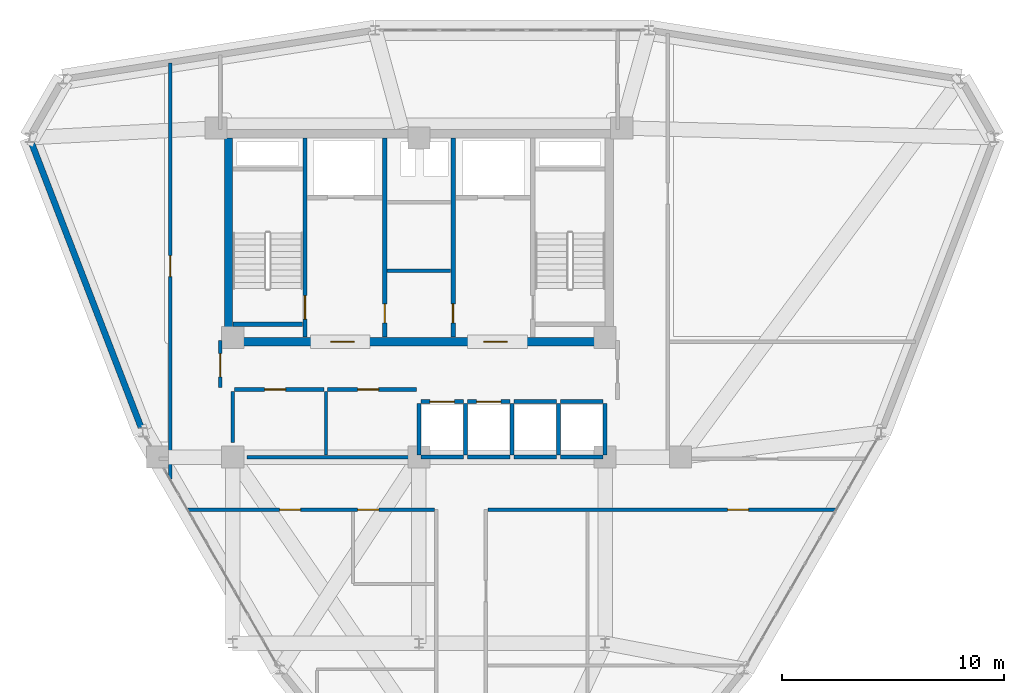
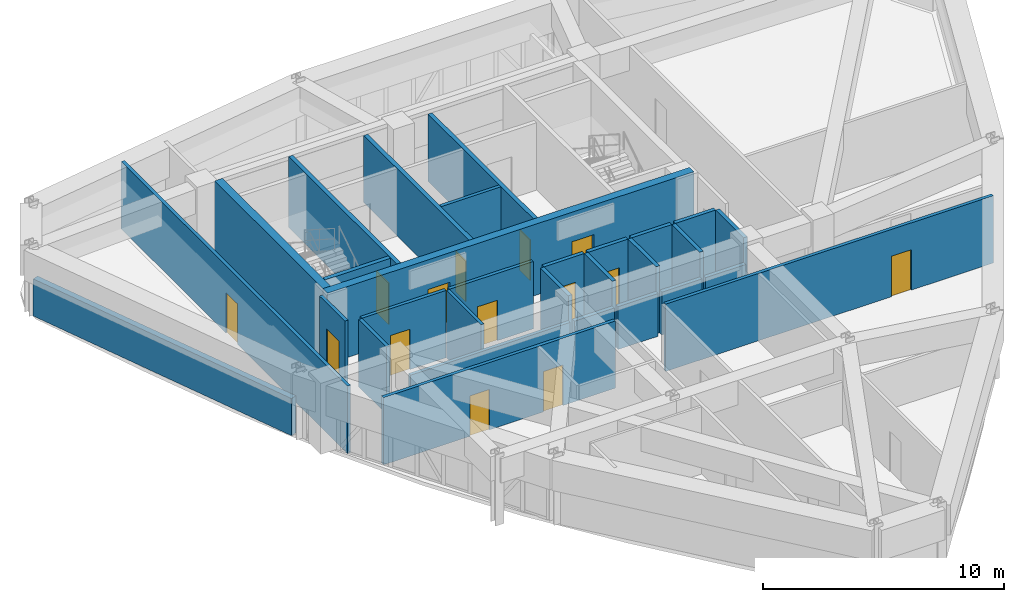
# One storey, part 14 of 16: 30 walls, 14 doors, 14 openings.
"""IFC4 building model written with IfcOpenShell, lengths in metres."""

from ifc_helpers import new_model, si_unit, derived_unit, direction, frame, frame_2d, origin, place, context, subcontext, project, spatial, rectangle, extrude, material, layer, layer_set, type_object, element, fill, save


model = new_model("IFC4")

# Units and contexts
model_context = context("Model", 3, precision=1e-05, world=origin(), true_north=direction((0.0, 1.0)))
body_context = subcontext(model_context, "Body", "Model", "MODEL_VIEW")
ifc_project = project(units=[si_unit("LENGTHUNIT", "METRE"), si_unit("AREAUNIT", "SQUARE_METRE"), si_unit("VOLUMEUNIT", "CUBIC_METRE"), si_unit("PLANEANGLEUNIT", "RADIAN"), si_unit("MASSUNIT", "GRAM", prefix="KILO"), derived_unit("THERMALTRANSMITTANCEUNIT", [(si_unit("POWERUNIT", "WATT"), 1), (si_unit("LENGTHUNIT", "METRE"), -2), (si_unit("THERMODYNAMICTEMPERATUREUNIT", "KELVIN"), -1)])], contexts=[model_context])

# Site, building, storey
site_placement = place(None, origin())
site = spatial("IfcSite", under=ifc_project, at=site_placement, CompositionType="ELEMENT")
building_placement = place(site_placement, origin())
building = spatial("IfcBuilding", under=site, at=building_placement, Name="Korsvarv Bourse and Concert Hall", CompositionType="ELEMENT")
storey_placement = place(building_placement, frame((0.0, 0.0, 213.0)))
storey = spatial("IfcBuildingStorey", under=building, at=storey_placement, Name="L55", CompositionType="ELEMENT", Elevation=213.0)

# Wall, openings, doors
ifc_material_1 = material(Name="Concrete C50/60", Category="concrete")
ifc_layer_1 = layer(ifc_material_1, 0.3798828125)
ifc_layer_set_1 = layer_set([ifc_layer_1], Name="Concrete C50/60")
wall_type_1 = type_object("IfcWallType", Name="WL-CORE-380", PredefinedType="SHEAR", material=ifc_layer_set_1)
wall_1_placement = place(storey_placement, frame((27.219970703125, 37.610107421875, 0.0), z_axis=(0.0, 0.0, 1.0), x_axis=(1.0, 0.0, 0.0)))
wall_1 = element("IfcWall", 1, at=wall_1_placement, inside=storey, type_object=wall_type_1, Name="L55 South Core Shear Wall", PredefinedType="SHEAR", context=body_context, shape_type="SweptSolid", body=[
    extrude(rectangle(XDim=17.56005859375, YDim=0.3798828125, at=frame_2d((8.780029296875, 0.0))), origin(), (0.0, 0.0, 1.0), 3.60009765625),
])
opening_1_placement = place(wall_1_placement, frame((4.804931640625, 0.0, 0.0)))
opening_1 = element("IfcOpeningElement", 2, at=opening_1_placement, cuts=wall_1, Name="Opening D-01", PredefinedType="OPENING", context=body_context, shape_type="SweptSolid", body=[
    extrude(rectangle(XDim=1.050048828125, YDim=2.10009765625, at=frame_2d((0.52490234375, 1.050048828125))), frame((0.0, 0.199951171875, 0.0), z_axis=(0.0, -1.0, 0.0), x_axis=(1.0, 0.0, 0.0)), (0.0, 0.0, 1.0), 0.39990234375),
])
opening_2_placement = place(wall_1_placement, frame((11.705078125, 0.0, 0.0)))
opening_2 = element("IfcOpeningElement", 3, at=opening_2_placement, cuts=wall_1, Name="Opening D-01", PredefinedType="OPENING", context=body_context, shape_type="SweptSolid", body=[
    extrude(rectangle(XDim=1.050048828125, YDim=2.10009765625, at=frame_2d((0.52490234375, 1.050048828125))), frame((0.0, 0.199951171875, 0.0), z_axis=(0.0, -1.0, 0.0), x_axis=(1.0, 0.0, 0.0)), (0.0, 0.0, 1.0), 0.39990234375),
])
ifc_material_2 = material(Name="Steel S355 fire door", Category="steel")
door_type_1 = type_object("IfcDoorType", Name="DR-FD60", OperationType="NOTDEFINED", PredefinedType="DOOR", material=ifc_material_2)
door_1_placement = place(opening_1_placement, frame((1.050048828125, 0.0, 0.0), z_axis=(0.0, 0.0, 1.0), x_axis=(-1.0, 0.0, 0.0)))
door_1 = element("IfcDoor", 4, at=door_1_placement, inside=storey, type_object=door_type_1, Name="L55 firefighting lobby fire door DR-L55-FFLW", OperationType="SINGLE_SWING_LEFT", OverallHeight=2.10009765625, OverallWidth=1.050048828125, PredefinedType="DOOR", context=body_context, shape_type="SweptSolid", body=[
    extrude(rectangle(XDim=1.050048828125, YDim=2.10009765625, at=frame_2d((0.52490234375, 1.050048828125))), frame((0.0, 0.02490234375, 0.0), z_axis=(0.0, -1.0, 0.0), x_axis=(1.0, 0.0, 0.0)), (0.0, 0.0, 1.0), 0.050048828125),
])
fill(opening_1, door_1)
door_2_placement = place(opening_2_placement, frame((1.050048828125, 0.0, 0.0), z_axis=(0.0, 0.0, 1.0), x_axis=(-1.0, 0.0, 0.0)))
door_2 = element("IfcDoor", 5, at=door_2_placement, inside=storey, type_object=door_type_1, Name="L55 firefighting lobby fire door DR-L55-FFLE", OperationType="SINGLE_SWING_RIGHT", OverallHeight=2.10009765625, OverallWidth=1.050048828125, PredefinedType="DOOR", context=body_context, shape_type="SweptSolid", body=[
    extrude(rectangle(XDim=1.050048828125, YDim=2.10009765625, at=frame_2d((0.52490234375, 1.050048828125))), frame((0.0, 0.02490234375, 0.0), z_axis=(0.0, -1.0, 0.0), x_axis=(1.0, 0.0, 0.0)), (0.0, 0.0, 1.0), 0.050048828125),
])
fill(opening_2, door_2)

# Wall
wall_2_placement = place(storey_placement, frame((27.409912109375, 37.800048828125, 0.0), z_axis=(0.0, 0.0, 1.0), x_axis=(0.0, 1.0, 0.0)))
element("IfcWall", 6, at=wall_2_placement, inside=storey, type_object=wall_type_1, Name="L55 West Core Shear Wall", PredefinedType="SHEAR", context=body_context, shape_type="SweptSolid", body=[
    extrude(rectangle(XDim=9.0, YDim=0.3798828125, at=frame_2d((4.5, 0.0))), origin(), (0.0, 0.0, 1.0), 3.60009765625),
])

# Wall, opening, door
wall_3_placement = place(storey_placement, frame((30.860107421875, 37.81005859375, 0.0), z_axis=(0.0, 0.0, 1.0), x_axis=(0.0, 1.0, 0.0)))
wall_3 = element("IfcWall", 7, at=wall_3_placement, inside=storey, type_object=wall_type_1, Name="L55 stair shaft structural wall W-L55-ST1-E", PredefinedType="SHEAR", context=body_context, shape_type="SweptSolid", body=[
    extrude(rectangle(XDim=8.97998046875, YDim=0.199951171875, at=frame_2d((4.489990234375, 0.0))), origin(), (0.0, 0.0, 1.0), 3.60009765625),
])
opening_3_placement = place(wall_3_placement, frame((0.820068359375, 0.0, 0.0)))
opening_3 = element("IfcOpeningElement", 8, at=opening_3_placement, cuts=wall_3, Name="Opening D-01", PredefinedType="OPENING", context=body_context, shape_type="SweptSolid", body=[
    extrude(rectangle(XDim=1.050048828125, YDim=2.10009765625, at=frame_2d((0.52490234375, 1.050048828125))), frame((0.0, 0.10986328125, 0.0), z_axis=(0.0, -1.0, 0.0), x_axis=(1.0, 0.0, 0.0)), (0.0, 0.0, 1.0), 0.219970703125),
])
door_3_placement = place(opening_3_placement, origin())
door_3 = element("IfcDoor", 9, at=door_3_placement, inside=storey, type_object=door_type_1, Name="L55 interior door DR-L55-ST1", OperationType="SINGLE_SWING_RIGHT", OverallHeight=2.10009765625, OverallWidth=1.050048828125, PredefinedType="DOOR", context=body_context, shape_type="SweptSolid", body=[
    extrude(rectangle(XDim=1.050048828125, YDim=2.10009765625, at=frame_2d((0.52490234375, 1.050048828125))), frame((0.0, 0.02490234375, 0.0), z_axis=(0.0, -1.0, 0.0), x_axis=(1.0, 0.0, 0.0)), (0.0, 0.0, 1.0), 0.050048828125),
])
fill(opening_3, door_3)

# Walls
wall_4_placement = place(storey_placement, frame((27.610107421875, 38.39990234375, 0.0), z_axis=(0.0, 0.0, 1.0), x_axis=(1.0, 0.0, 0.0)))
element("IfcWall", 10, at=wall_4_placement, inside=storey, type_object=wall_type_1, Name="L55 stair shaft structural wall W-L55-ST1-S", PredefinedType="SHEAR", context=body_context, shape_type="SweptSolid", body=[
    extrude(rectangle(XDim=3.139892578125, YDim=0.199951171875, at=frame_2d((1.56982421875, 0.0))), origin(), (0.0, 0.0, 1.0), 3.60009765625),
])
ifc_material_3 = material(Name="Precast concrete C45/55 with fluted terracotta pier", Category="concrete")
ifc_layer_2 = layer(ifc_material_3, 0.280029296875)
ifc_layer_set_2 = layer_set([ifc_layer_2], Name="Precast concrete C45/55 with fluted terracotta pier")
wall_type_2 = type_object("IfcWallType", Name="WL-EXT-TC2", PredefinedType="SOLIDWALL", material=ifc_layer_set_2)
wall_5_placement = place(storey_placement, frame((18.511962890625, 46.598388671875, 0.0), z_axis=(0.0, 0.0, 1.0), x_axis=(0.359321962573, -0.933213655715, 0.0)))
element("IfcWall", 11, at=wall_5_placement, inside=storey, type_object=wall_type_2, Name="L55 terracotta exterior wall EW-L55-B06", PredefinedType="SOLIDWALL", context=body_context, shape_type="SweptSolid", body=[
    extrude(rectangle(XDim=13.7880859375, YDim=0.280029296875, at=frame_2d((6.89404296875, 0.0))), origin(), (0.0, 0.0, 1.0), 1.8798828125),
])

# Wall, opening, door
ifc_material_4 = material(Name="Reinforced concrete blockwork C35/45 fire wall", Category="concrete")
ifc_layer_3 = layer(ifc_material_4, 0.199951171875)
ifc_layer_set_3 = layer_set([ifc_layer_3], Name="Reinforced concrete blockwork C35/45 fire wall")
wall_type_3 = type_object("IfcWallType", Name="WL-INT-EI120", PredefinedType="PARTITIONING", material=ifc_layer_set_3)
wall_6_placement = place(storey_placement, frame((34.4599609375, 37.81005859375, 0.0), z_axis=(0.0, 0.0, 1.0), x_axis=(0.0, 1.0, 0.0)))
wall_6 = element("IfcWall", 12, at=wall_6_placement, inside=storey, type_object=wall_type_3, Name="L55 interior partition wall W-L55-CSB-W", PredefinedType="PARTITIONING", context=body_context, shape_type="SweptSolid", body=[
    extrude(rectangle(XDim=8.97998046875, YDim=0.199951171875, at=frame_2d((4.489990234375, 0.0))), origin(), (0.0, 0.0, 1.0), 3.409912109375),
])
opening_4_placement = place(wall_6_placement, frame((0.64990234375, 0.0, 0.0)))
opening_4 = element("IfcOpeningElement", 13, at=opening_4_placement, cuts=wall_6, Name="Opening D-05", PredefinedType="OPENING", context=body_context, shape_type="SweptSolid", body=[
    extrude(rectangle(XDim=0.85009765625, YDim=2.050048828125, at=frame_2d((0.425048828125, 1.02490234375))), frame((0.0, 0.10986328125, 0.0), z_axis=(0.0, -1.0, 0.0), x_axis=(1.0, 0.0, 0.0)), (0.0, 0.0, 1.0), 0.219970703125),
])
door_type_2 = type_object("IfcDoorType", Name="DR-FD60-850X2050", OperationType="NOTDEFINED", PredefinedType="DOOR", material=ifc_material_2)
door_4_placement = place(opening_4_placement, frame((0.85009765625, 0.0, 0.0), z_axis=(0.0, 0.0, 1.0), x_axis=(-1.0, 0.0, 0.0)))
door_4 = element("IfcDoor", 14, at=door_4_placement, inside=storey, type_object=door_type_2, Name="L55 interior door DR-L55-CSB1", OperationType="SINGLE_SWING_RIGHT", OverallHeight=2.050048828125, OverallWidth=0.85009765625, PredefinedType="DOOR", context=body_context, shape_type="SweptSolid", body=[
    extrude(rectangle(XDim=0.85009765625, YDim=2.050048828125, at=frame_2d((0.425048828125, 1.02490234375))), frame((0.0, 0.02490234375, 0.0), z_axis=(0.0, -1.0, 0.0), x_axis=(1.0, 0.0, 0.0)), (0.0, 0.0, 1.0), 0.050048828125),
])
fill(opening_4, door_4)

wall_7_placement = place(storey_placement, frame((37.5400390625, 37.81005859375, 0.0), z_axis=(0.0, 0.0, 1.0), x_axis=(0.0, 1.0, 0.0)))
wall_7 = element("IfcWall", 15, at=wall_7_placement, inside=storey, type_object=wall_type_3, Name="L55 interior partition wall W-L55-CSB-E", PredefinedType="PARTITIONING", context=body_context, shape_type="SweptSolid", body=[
    extrude(rectangle(XDim=8.97998046875, YDim=0.199951171875, at=frame_2d((4.489990234375, 0.0))), origin(), (0.0, 0.0, 1.0), 3.409912109375),
])
opening_5_placement = place(wall_7_placement, frame((0.64990234375, 0.0, 0.0)))
opening_5 = element("IfcOpeningElement", 16, at=opening_5_placement, cuts=wall_7, Name="Opening D-05", PredefinedType="OPENING", context=body_context, shape_type="SweptSolid", body=[
    extrude(rectangle(XDim=0.85009765625, YDim=2.050048828125, at=frame_2d((0.425048828125, 1.02490234375))), frame((0.0, 0.10986328125, 0.0), z_axis=(0.0, -1.0, 0.0), x_axis=(1.0, 0.0, 0.0)), (0.0, 0.0, 1.0), 0.219970703125),
])
door_5_placement = place(opening_5_placement, origin())
door_5 = element("IfcDoor", 17, at=door_5_placement, inside=storey, type_object=door_type_2, Name="L55 interior door DR-L55-CSB2", OperationType="SINGLE_SWING_LEFT", OverallHeight=2.050048828125, OverallWidth=0.85009765625, PredefinedType="DOOR", context=body_context, shape_type="SweptSolid", body=[
    extrude(rectangle(XDim=0.85009765625, YDim=2.050048828125, at=frame_2d((0.425048828125, 1.02490234375))), frame((0.0, 0.02490234375, 0.0), z_axis=(0.0, -1.0, 0.0), x_axis=(1.0, 0.0, 0.0)), (0.0, 0.0, 1.0), 0.050048828125),
])
fill(opening_5, door_5)

# Walls
ifc_material_5 = material(Name="Double-stud fire-rated acoustic partition", Category="gypsum")
ifc_layer_4 = layer(ifc_material_5, 0.159912109375)
ifc_layer_set_4 = layer_set([ifc_layer_4], Name="Double-stud fire-rated acoustic partition")
wall_type_4 = type_object("IfcWallType", Name="WL-INT-EI60", PredefinedType="PARTITIONING", material=ifc_layer_set_4)
wall_8_placement = place(storey_placement, frame((34.570068359375, 40.800048828125, 0.0), z_axis=(0.0, 0.0, 1.0), x_axis=(1.0, 0.0, 0.0)))
element("IfcWall", 18, at=wall_8_placement, inside=storey, type_object=wall_type_4, Name="L55 interior partition wall W-L55-K1", PredefinedType="PARTITIONING", context=body_context, shape_type="SweptSolid", body=[
    extrude(rectangle(XDim=2.85986328125, YDim=0.159912109375, at=frame_2d((1.429931640625, 0.0))), origin(), (0.0, 0.0, 1.0), 3.409912109375),
])
wall_9_placement = place(storey_placement, frame((28.25, 32.39990234375, 0.0), z_axis=(0.0, 0.0, 1.0), x_axis=(1.0, 0.0, 0.0)))
element("IfcWall", 19, at=wall_9_placement, inside=storey, type_object=wall_type_4, Name="L55 interior partition wall W-L55-FRD-S", PredefinedType="PARTITIONING", context=body_context, shape_type="SweptSolid", body=[
    extrude(rectangle(XDim=7.64990234375, YDim=0.159912109375, at=frame_2d((3.824951171875, 0.0))), origin(), (0.0, 0.0, 1.0), 2.169921875),
])
wall_10_placement = place(storey_placement, frame((27.60009765625, 33.050048828125, 0.0), z_axis=(0.0, 0.0, 1.0), x_axis=(0.0, 1.0, 0.0)))
element("IfcWall", 20, at=wall_10_placement, inside=storey, type_object=wall_type_4, Name="L55 interior partition wall W-L55-FRD-W", PredefinedType="PARTITIONING", context=body_context, shape_type="SweptSolid", body=[
    extrude(rectangle(XDim=2.31005859375, YDim=0.159912109375, at=frame_2d((1.155029296875, 0.0))), origin(), (0.0, 0.0, 1.0), 3.409912109375),
])

# Wall, opening, door
wall_11_placement = place(storey_placement, frame((27.68994140625, 35.449951171875, 0.0), z_axis=(0.0, 0.0, 1.0), x_axis=(1.0, 0.0, 0.0)))
wall_11 = element("IfcWall", 21, at=wall_11_placement, inside=storey, type_object=wall_type_4, Name="L55 interior partition wall W-L55-FRD-N1", PredefinedType="PARTITIONING", context=body_context, shape_type="SweptSolid", body=[
    extrude(rectangle(XDim=4.030029296875, YDim=0.159912109375, at=frame_2d((2.01513671875, 0.0))), origin(), (0.0, 0.0, 1.0), 3.409912109375),
])
opening_6_placement = place(wall_11_placement, frame((1.35009765625, 0.0, 0.0)))
opening_6 = element("IfcOpeningElement", 22, at=opening_6_placement, cuts=wall_11, Name="Opening D-03", PredefinedType="OPENING", context=body_context, shape_type="SweptSolid", body=[
    extrude(rectangle(XDim=0.949951171875, YDim=2.050048828125, at=frame_2d((0.47509765625, 1.02490234375))), frame((0.0, 0.08984375, 0.0), z_axis=(0.0, -1.0, 0.0), x_axis=(1.0, 0.0, 0.0)), (0.0, 0.0, 1.0), 0.179931640625),
])
ifc_material_6 = material(Name="Nordic oak acoustic office door", Category="wood")
door_type_3 = type_object("IfcDoorType", Name="DR-INT-1", OperationType="NOTDEFINED", PredefinedType="DOOR", material=ifc_material_6)
door_6_placement = place(opening_6_placement, origin())
door_6 = element("IfcDoor", 23, at=door_6_placement, inside=storey, type_object=door_type_3, Name="L55 interior door DR-L55-FRDN1", OperationType="SINGLE_SWING_RIGHT", OverallHeight=2.050048828125, OverallWidth=0.949951171875, PredefinedType="DOOR", context=body_context, shape_type="SweptSolid", body=[
    extrude(rectangle(XDim=0.949951171875, YDim=2.050048828125, at=frame_2d((0.47509765625, 1.02490234375))), frame((0.0, 0.02490234375, 0.0), z_axis=(0.0, -1.0, 0.0), x_axis=(1.0, 0.0, 0.0)), (0.0, 0.0, 1.0), 0.050048828125),
])
fill(opening_6, door_6)

wall_12_placement = place(storey_placement, frame((31.8798828125, 35.449951171875, 0.0), z_axis=(0.0, 0.0, 1.0), x_axis=(1.0, 0.0, 0.0)))
wall_12 = element("IfcWall", 24, at=wall_12_placement, inside=storey, type_object=wall_type_4, Name="L55 interior partition wall W-L55-FRD-N2", PredefinedType="PARTITIONING", context=body_context, shape_type="SweptSolid", body=[
    extrude(rectangle(XDim=4.02001953125, YDim=0.159912109375, at=frame_2d((2.010009765625, 0.0))), origin(), (0.0, 0.0, 1.0), 3.409912109375),
])
opening_7_placement = place(wall_12_placement, frame((1.35009765625, 0.0, 0.0)))
opening_7 = element("IfcOpeningElement", 25, at=opening_7_placement, cuts=wall_12, Name="Opening D-03", PredefinedType="OPENING", context=body_context, shape_type="SweptSolid", body=[
    extrude(rectangle(XDim=0.949951171875, YDim=2.050048828125, at=frame_2d((0.47509765625, 1.02490234375))), frame((0.0, 0.08984375, 0.0), z_axis=(0.0, -1.0, 0.0), x_axis=(1.0, 0.0, 0.0)), (0.0, 0.0, 1.0), 0.179931640625),
])
door_7_placement = place(opening_7_placement, origin())
door_7 = element("IfcDoor", 26, at=door_7_placement, inside=storey, type_object=door_type_3, Name="L55 interior door DR-L55-FRDN2", OperationType="SINGLE_SWING_LEFT", OverallHeight=2.050048828125, OverallWidth=0.949951171875, PredefinedType="DOOR", context=body_context, shape_type="SweptSolid", body=[
    extrude(rectangle(XDim=0.949951171875, YDim=2.050048828125, at=frame_2d((0.47509765625, 1.02490234375))), frame((0.0, 0.02490234375, 0.0), z_axis=(0.0, -1.0, 0.0), x_axis=(1.0, 0.0, 0.0)), (0.0, 0.0, 1.0), 0.050048828125),
])
fill(opening_7, door_7)

wall_13_placement = place(storey_placement, frame((27.0400390625, 35.5400390625, 0.0), z_axis=(0.0, 0.0, 1.0), x_axis=(0.0, 1.0, 0.0)))
wall_13 = element("IfcWall", 27, at=wall_13_placement, inside=storey, type_object=wall_type_4, Name="L55 interior partition wall W-L55-LOB-WL", PredefinedType="PARTITIONING", context=body_context, shape_type="SweptSolid", body=[
    extrude(rectangle(XDim=2.10986328125, YDim=0.159912109375, at=frame_2d((1.054931640625, 0.0))), origin(), (0.0, 0.0, 1.0), 3.409912109375),
])
opening_8_placement = place(wall_13_placement, frame((0.47998046875, 0.0, 0.0)))
opening_8 = element("IfcOpeningElement", 28, at=opening_8_placement, cuts=wall_13, Name="Opening D-01", PredefinedType="OPENING", context=body_context, shape_type="SweptSolid", body=[
    extrude(rectangle(XDim=1.050048828125, YDim=2.10009765625, at=frame_2d((0.52490234375, 1.050048828125))), frame((0.0, 0.08984375, 0.0), z_axis=(0.0, -1.0, 0.0), x_axis=(1.0, 0.0, 0.0)), (0.0, 0.0, 1.0), 0.179931640625),
])
door_8_placement = place(opening_8_placement, frame((1.050048828125, 0.0, 0.0), z_axis=(0.0, 0.0, 1.0), x_axis=(-1.0, 0.0, 0.0)))
door_8 = element("IfcDoor", 29, at=door_8_placement, inside=storey, type_object=door_type_1, Name="L55 interior door DR-L55-LOBW", OperationType="SINGLE_SWING_RIGHT", OverallHeight=2.10009765625, OverallWidth=1.050048828125, PredefinedType="DOOR", context=body_context, shape_type="SweptSolid", body=[
    extrude(rectangle(XDim=1.050048828125, YDim=2.10009765625, at=frame_2d((0.52490234375, 1.050048828125))), frame((0.0, 0.02490234375, 0.0), z_axis=(0.0, -1.0, 0.0), x_axis=(1.0, 0.0, 0.0)), (0.0, 0.0, 1.0), 0.050048828125),
])
fill(opening_8, door_8)

wall_14_placement = place(storey_placement, frame((24.77490234375, 31.413330078125, 0.0), z_axis=(0.0, 0.0, 1.0), x_axis=(0.0, 1.0, 0.0)))
wall_14 = element("IfcWall", 30, at=wall_14_placement, inside=storey, type_object=wall_type_4, Name="L55 interior partition wall W-L55-TCOR-02", PredefinedType="PARTITIONING", context=body_context, shape_type="SweptSolid", body=[
    extrude(rectangle(XDim=18.773193359375, YDim=0.159912109375, at=frame_2d((9.38671875, 0.0))), origin(), (0.0, 0.0, 1.0), 3.409912109375),
])
opening_9_placement = place(wall_14_placement, frame((9.12744140625, 0.0, 0.0)))
opening_9 = element("IfcOpeningElement", 31, at=opening_9_placement, cuts=wall_14, Name="Opening D-02", PredefinedType="OPENING", context=body_context, shape_type="SweptSolid", body=[
    extrude(rectangle(XDim=0.949951171875, YDim=2.050048828125, at=frame_2d((0.47509765625, 1.02490234375))), frame((0.0, 0.08984375, 0.0), z_axis=(0.0, -1.0, 0.0), x_axis=(1.0, 0.0, 0.0)), (0.0, 0.0, 1.0), 0.179931640625),
])
ifc_material_7 = material(Name="Timber and steel acoustic fire door", Category="wood")
door_type_4 = type_object("IfcDoorType", Name="DR-FD30", OperationType="NOTDEFINED", PredefinedType="DOOR", material=ifc_material_7)
door_9_placement = place(opening_9_placement, origin())
door_9 = element("IfcDoor", 32, at=door_9_placement, inside=storey, type_object=door_type_4, Name="L55 interior door DR-L55-TCOR-PN710", OperationType="SINGLE_SWING_LEFT", OverallHeight=2.050048828125, OverallWidth=0.949951171875, PredefinedType="DOOR", context=body_context, shape_type="SweptSolid", body=[
    extrude(rectangle(XDim=0.949951171875, YDim=2.050048828125, at=frame_2d((0.47509765625, 1.02490234375))), frame((0.0, 0.02490234375, 0.0), z_axis=(0.0, -1.0, 0.0), x_axis=(1.0, 0.0, 0.0)), (0.0, 0.0, 1.0), 0.050048828125),
])
fill(opening_9, door_9)

wall_15_placement = place(storey_placement, frame((39.10693359375, 30.02490234375, 0.0), z_axis=(0.0, 0.0, 1.0), x_axis=(1.0, 0.0, 0.0)))
wall_15 = element("IfcWall", 33, at=wall_15_placement, inside=storey, type_object=wall_type_4, Name="L55 interior partition wall W-L55-TCOR-05", PredefinedType="PARTITIONING", context=body_context, shape_type="SweptSolid", body=[
    extrude(rectangle(XDim=15.7080078125, YDim=0.159912109375, at=frame_2d((7.85400390625, 0.0))), origin(), (0.0, 0.0, 1.0), 3.409912109375),
])
opening_10_placement = place(wall_15_placement, frame((10.822509765625, 0.0, 0.0)))
opening_10 = element("IfcOpeningElement", 34, at=opening_10_placement, cuts=wall_15, Name="Opening D-02", PredefinedType="OPENING", context=body_context, shape_type="SweptSolid", body=[
    extrude(rectangle(XDim=0.949951171875, YDim=2.050048828125, at=frame_2d((0.47509765625, 1.02490234375))), frame((0.0, 0.08984375, 0.0), z_axis=(0.0, -1.0, 0.0), x_axis=(1.0, 0.0, 0.0)), (0.0, 0.0, 1.0), 0.179931640625),
])
door_10_placement = place(opening_10_placement, origin())
door_10 = element("IfcDoor", 35, at=door_10_placement, inside=storey, type_object=door_type_4, Name="L55 interior door DR-L55-TCOR-PN36", OperationType="SINGLE_SWING_LEFT", OverallHeight=2.050048828125, OverallWidth=0.949951171875, PredefinedType="DOOR", context=body_context, shape_type="SweptSolid", body=[
    extrude(rectangle(XDim=0.949951171875, YDim=2.050048828125, at=frame_2d((0.47509765625, 1.02490234375))), frame((0.0, 0.02490234375, 0.0), z_axis=(0.0, -1.0, 0.0), x_axis=(1.0, 0.0, 0.0)), (0.0, 0.0, 1.0), 0.050048828125),
])
fill(opening_10, door_10)

# Wall, openings, doors
wall_16_placement = place(storey_placement, frame((25.585205078125, 30.02490234375, 0.0), z_axis=(0.0, 0.0, 1.0), x_axis=(1.0, 0.0, 0.0)))
wall_16 = element("IfcWall", 36, at=wall_16_placement, inside=storey, type_object=wall_type_4, Name="L55 interior partition wall W-L55-TCOR-06", PredefinedType="PARTITIONING", context=body_context, shape_type="SweptSolid", body=[
    extrude(rectangle(XDim=11.10791015625, YDim=0.159912109375, at=frame_2d((5.553955078125, 0.0))), origin(), (0.0, 0.0, 1.0), 3.409912109375),
])
opening_11_placement = place(wall_16_placement, frame((7.65478515625, 0.0, 0.0)))
opening_11 = element("IfcOpeningElement", 37, at=opening_11_placement, cuts=wall_16, Name="Opening D-02", PredefinedType="OPENING", context=body_context, shape_type="SweptSolid", body=[
    extrude(rectangle(XDim=0.949951171875, YDim=2.050048828125, at=frame_2d((0.47509765625, 1.02490234375))), frame((0.0, 0.08984375, 0.0), z_axis=(0.0, -1.0, 0.0), x_axis=(1.0, 0.0, 0.0)), (0.0, 0.0, 1.0), 0.179931640625),
])
opening_12_placement = place(wall_16_placement, frame((4.13232421875, 0.0, 0.0)))
opening_12 = element("IfcOpeningElement", 38, at=opening_12_placement, cuts=wall_16, Name="Opening D-02", PredefinedType="OPENING", context=body_context, shape_type="SweptSolid", body=[
    extrude(rectangle(XDim=0.949951171875, YDim=2.050048828125, at=frame_2d((0.47509765625, 1.02490234375))), frame((0.0, 0.08984375, 0.0), z_axis=(0.0, -1.0, 0.0), x_axis=(1.0, 0.0, 0.0)), (0.0, 0.0, 1.0), 0.179931640625),
])
door_11_placement = place(opening_11_placement, origin())
door_11 = element("IfcDoor", 39, at=door_11_placement, inside=storey, type_object=door_type_4, Name="L55 interior door DR-L55-TCOR-RWC", OperationType="SINGLE_SWING_RIGHT", OverallHeight=2.050048828125, OverallWidth=0.949951171875, PredefinedType="DOOR", context=body_context, shape_type="SweptSolid", body=[
    extrude(rectangle(XDim=0.949951171875, YDim=2.050048828125, at=frame_2d((0.47509765625, 1.02490234375))), frame((0.0, 0.02490234375, 0.0), z_axis=(0.0, -1.0, 0.0), x_axis=(1.0, 0.0, 0.0)), (0.0, 0.0, 1.0), 0.050048828125),
])
fill(opening_11, door_11)
door_12_placement = place(opening_12_placement, origin())
door_12 = element("IfcDoor", 40, at=door_12_placement, inside=storey, type_object=door_type_4, Name="L55 interior door DR-L55-TCOR-PN18", OperationType="SINGLE_SWING_LEFT", OverallHeight=2.050048828125, OverallWidth=0.949951171875, PredefinedType="DOOR", context=body_context, shape_type="SweptSolid", body=[
    extrude(rectangle(XDim=0.949951171875, YDim=2.050048828125, at=frame_2d((0.47509765625, 1.02490234375))), frame((0.0, 0.02490234375, 0.0), z_axis=(0.0, -1.0, 0.0), x_axis=(1.0, 0.0, 0.0)), (0.0, 0.0, 1.0), 0.050048828125),
])
fill(opening_12, door_12)

# Wall, opening, door
ifc_material_8 = material(Name="Gypsum-clad autoclaved concrete shaft wall C30/37", Category="concrete")
ifc_layer_5 = layer(ifc_material_8, 0.179931640625)
ifc_layer_set_5 = layer_set([ifc_layer_5], Name="Gypsum-clad autoclaved concrete shaft wall C30/37")
wall_type_5 = type_object("IfcWallType", Name="WL-INT-EI90", PredefinedType="PARTITIONING", material=ifc_layer_set_5)
wall_17_placement = place(storey_placement, frame((36.090087890625, 34.89990234375, 0.0), z_axis=(0.0, 0.0, 1.0), x_axis=(1.0, 0.0, 0.0)))
wall_17 = element("IfcWall", 41, at=wall_17_placement, inside=storey, type_object=wall_type_5, Name="L55 interior partition wall W-L55-SHFN-PH1", PredefinedType="PARTITIONING", context=body_context, shape_type="SweptSolid", body=[
    extrude(rectangle(XDim=1.919921875, YDim=0.179931640625, at=frame_2d((0.9599609375, 0.0))), origin(), (0.0, 0.0, 1.0), 3.409912109375),
])
opening_13_placement = place(wall_17_placement, frame((0.409912109375, 0.0, 0.0)))
opening_13 = element("IfcOpeningElement", 42, at=opening_13_placement, cuts=wall_17, Name="Opening LD-2", PredefinedType="OPENING", context=body_context, shape_type="SweptSolid", body=[
    extrude(rectangle(XDim=1.10009765625, YDim=2.10009765625, at=frame_2d((0.550048828125, 1.050048828125))), frame((0.0, 0.10009765625, 0.0), z_axis=(0.0, -1.0, 0.0), x_axis=(1.0, 0.0, 0.0)), (0.0, 0.0, 1.0), 0.199951171875),
])
ifc_material_9 = material(Name="Brushed stainless Steel S355 lift landing door", Category="steel")
door_type_5 = type_object("IfcDoorType", Name="DR-LIFT-P", OperationType="DOUBLE_DOOR_SLIDING", PredefinedType="DOOR", material=ifc_material_9)
door_13_placement = place(opening_13_placement, origin())
door_13 = element("IfcDoor", 43, at=door_13_placement, inside=storey, type_object=door_type_5, Name="L55 lift sliding landing door LD-L55-PH1", OperationType="DOUBLE_DOOR_SLIDING", OverallHeight=2.10009765625, OverallWidth=1.10009765625, PredefinedType="DOOR", context=body_context, shape_type="SweptSolid", body=[
    extrude(rectangle(XDim=1.10009765625, YDim=2.10009765625, at=frame_2d((0.550048828125, 1.050048828125))), frame((0.0, 0.02490234375, 0.0), z_axis=(0.0, -1.0, 0.0), x_axis=(1.0, 0.0, 0.0)), (0.0, 0.0, 1.0), 0.050048828125),
])
fill(opening_13, door_13)

# Walls
wall_18_placement = place(storey_placement, frame((36.090087890625, 32.39990234375, 0.0), z_axis=(0.0, 0.0, 1.0), x_axis=(1.0, 0.0, 0.0)))
element("IfcWall", 44, at=wall_18_placement, inside=storey, type_object=wall_type_5, Name="L55 interior partition wall W-L55-SHFS-PH1", PredefinedType="PARTITIONING", context=body_context, shape_type="SweptSolid", body=[
    extrude(rectangle(XDim=1.919921875, YDim=0.179931640625, at=frame_2d((0.9599609375, 0.0))), origin(), (0.0, 0.0, 1.0), 2.169921875),
])
wall_19_placement = place(storey_placement, frame((36.0, 32.489990234375, 0.0), z_axis=(0.0, 0.0, 1.0), x_axis=(0.0, 1.0, 0.0)))
element("IfcWall", 45, at=wall_19_placement, inside=storey, type_object=wall_type_5, Name="L55 interior partition wall W-L55-SHFW-PH1", PredefinedType="PARTITIONING", context=body_context, shape_type="SweptSolid", body=[
    extrude(rectangle(XDim=2.320068359375, YDim=0.179931640625, at=frame_2d((1.16015625, 0.0))), origin(), (0.0, 0.0, 1.0), 3.409912109375),
])

# Wall, opening, door
wall_20_placement = place(storey_placement, frame((38.18994140625, 34.89990234375, 0.0), z_axis=(0.0, 0.0, 1.0), x_axis=(1.0, 0.0, 0.0)))
wall_20 = element("IfcWall", 46, at=wall_20_placement, inside=storey, type_object=wall_type_5, Name="L55 interior partition wall W-L55-SHFN-PH2", PredefinedType="PARTITIONING", context=body_context, shape_type="SweptSolid", body=[
    extrude(rectangle(XDim=1.920166015625, YDim=0.179931640625, at=frame_2d((0.9599609375, 0.0))), origin(), (0.0, 0.0, 1.0), 3.409912109375),
])
opening_14_placement = place(wall_20_placement, frame((0.409912109375, 0.0, 0.0)))
opening_14 = element("IfcOpeningElement", 47, at=opening_14_placement, cuts=wall_20, Name="Opening LD-2", PredefinedType="OPENING", context=body_context, shape_type="SweptSolid", body=[
    extrude(rectangle(XDim=1.10009765625, YDim=2.10009765625, at=frame_2d((0.550048828125, 1.050048828125))), frame((0.0, 0.10009765625, 0.0), z_axis=(0.0, -1.0, 0.0), x_axis=(1.0, 0.0, 0.0)), (0.0, 0.0, 1.0), 0.199951171875),
])
door_14_placement = place(opening_14_placement, origin())
door_14 = element("IfcDoor", 48, at=door_14_placement, inside=storey, type_object=door_type_5, Name="L55 lift sliding landing door LD-L55-PH2", OperationType="DOUBLE_DOOR_SLIDING", OverallHeight=2.10009765625, OverallWidth=1.10009765625, PredefinedType="DOOR", context=body_context, shape_type="SweptSolid", body=[
    extrude(rectangle(XDim=1.10009765625, YDim=2.10009765625, at=frame_2d((0.550048828125, 1.050048828125))), frame((0.0, 0.02490234375, 0.0), z_axis=(0.0, -1.0, 0.0), x_axis=(1.0, 0.0, 0.0)), (0.0, 0.0, 1.0), 0.050048828125),
])
fill(opening_14, door_14)

# Walls
wall_21_placement = place(storey_placement, frame((38.18994140625, 32.39990234375, 0.0), z_axis=(0.0, 0.0, 1.0), x_axis=(1.0, 0.0, 0.0)))
element("IfcWall", 49, at=wall_21_placement, inside=storey, type_object=wall_type_5, Name="L55 interior partition wall W-L55-SHFS-PH2", PredefinedType="PARTITIONING", context=body_context, shape_type="SweptSolid", body=[
    extrude(rectangle(XDim=1.920166015625, YDim=0.179931640625, at=frame_2d((0.9599609375, 0.0))), origin(), (0.0, 0.0, 1.0), 2.169921875),
])
wall_22_placement = place(storey_placement, frame((38.10009765625, 32.489990234375, 0.0), z_axis=(0.0, 0.0, 1.0), x_axis=(0.0, 1.0, 0.0)))
element("IfcWall", 50, at=wall_22_placement, inside=storey, type_object=wall_type_5, Name="L55 interior partition wall W-L55-SHFW-PH2", PredefinedType="PARTITIONING", context=body_context, shape_type="SweptSolid", body=[
    extrude(rectangle(XDim=2.320068359375, YDim=0.179931640625, at=frame_2d((1.16015625, 0.0))), origin(), (0.0, 0.0, 1.0), 3.409912109375),
])
wall_23_placement = place(storey_placement, frame((40.2900390625, 34.89990234375, 0.0), z_axis=(0.0, 0.0, 1.0), x_axis=(1.0, 0.0, 0.0)))
element("IfcWall", 51, at=wall_23_placement, inside=storey, type_object=wall_type_5, Name="L55 interior partition wall W-L55-SHFN-PO1", PredefinedType="PARTITIONING", context=body_context, shape_type="SweptSolid", body=[
    extrude(rectangle(XDim=1.919921875, YDim=0.179931640625, at=frame_2d((0.9599609375, 0.0))), origin(), (0.0, 0.0, 1.0), 3.409912109375),
])
wall_24_placement = place(storey_placement, frame((40.2900390625, 32.39990234375, 0.0), z_axis=(0.0, 0.0, 1.0), x_axis=(1.0, 0.0, 0.0)))
element("IfcWall", 52, at=wall_24_placement, inside=storey, type_object=wall_type_5, Name="L55 interior partition wall W-L55-SHFS-PO1", PredefinedType="PARTITIONING", context=body_context, shape_type="SweptSolid", body=[
    extrude(rectangle(XDim=1.919921875, YDim=0.179931640625, at=frame_2d((0.9599609375, 0.0))), origin(), (0.0, 0.0, 1.0), 2.169921875),
])
wall_25_placement = place(storey_placement, frame((40.199951171875, 32.489990234375, 0.0), z_axis=(0.0, 0.0, 1.0), x_axis=(0.0, 1.0, 0.0)))
element("IfcWall", 53, at=wall_25_placement, inside=storey, type_object=wall_type_5, Name="L55 interior partition wall W-L55-SHFW-PO1", PredefinedType="PARTITIONING", context=body_context, shape_type="SweptSolid", body=[
    extrude(rectangle(XDim=2.320068359375, YDim=0.179931640625, at=frame_2d((1.16015625, 0.0))), origin(), (0.0, 0.0, 1.0), 3.409912109375),
])
wall_26_placement = place(storey_placement, frame((42.389892578125, 34.89990234375, 0.0), z_axis=(0.0, 0.0, 1.0), x_axis=(1.0, 0.0, 0.0)))
element("IfcWall", 54, at=wall_26_placement, inside=storey, type_object=wall_type_5, Name="L55 interior partition wall W-L55-SHFN-PO2", PredefinedType="PARTITIONING", context=body_context, shape_type="SweptSolid", body=[
    extrude(rectangle(XDim=1.920166015625, YDim=0.179931640625, at=frame_2d((0.9599609375, 0.0))), origin(), (0.0, 0.0, 1.0), 3.409912109375),
])
wall_27_placement = place(storey_placement, frame((42.389892578125, 32.39990234375, 0.0), z_axis=(0.0, 0.0, 1.0), x_axis=(1.0, 0.0, 0.0)))
element("IfcWall", 55, at=wall_27_placement, inside=storey, type_object=wall_type_5, Name="L55 interior partition wall W-L55-SHFS-PO2", PredefinedType="PARTITIONING", context=body_context, shape_type="SweptSolid", body=[
    extrude(rectangle(XDim=1.920166015625, YDim=0.179931640625, at=frame_2d((0.9599609375, 0.0))), origin(), (0.0, 0.0, 1.0), 2.169921875),
])
for number, where, z_axis, x_axis, name in (
    (56, (42.300048828125, 32.489990234375, 0.0), (0.0, 0.0, 1.0), (0.0, 1.0, 0.0), "L55 interior partition wall W-L55-SHFW-PO2"),
    (57, (44.39990234375, 32.489990234375, 0.0), (0.0, 0.0, 1.0), (0.0, 1.0, 0.0), "L55 interior partition wall W-L55-SHFE-END"),
):
    element("IfcWall", number, at=place(storey_placement, frame(where, z_axis=z_axis, x_axis=x_axis)), inside=storey, type_object=wall_type_5, Name=name, PredefinedType="PARTITIONING", context=body_context, shape_type="SweptSolid", body=[
        extrude(rectangle(XDim=2.320068359375, YDim=0.179931640625, at=frame_2d((1.16015625, 0.0))), origin(), (0.0, 0.0, 1.0), 3.409912109375),
    ])
ifc_material_10 = material(Name="Insulated steel-stud office acoustic partition", Category="gypsum")
ifc_layer_6 = layer(ifc_material_10, 0.139892578125)
ifc_layer_set_6 = layer_set([ifc_layer_6], Name="Insulated steel-stud office acoustic partition")
wall_type_6 = type_object("IfcWallType", Name="WL-INT-P1", PredefinedType="PARTITIONING", material=ifc_layer_set_6)
wall_28_placement = place(storey_placement, frame((31.800048828125, 32.489990234375, 0.0), z_axis=(0.0, 0.0, 1.0), x_axis=(0.0, 1.0, 0.0)))
element("IfcWall", 58, at=wall_28_placement, inside=storey, type_object=wall_type_6, Name="L55 interior partition wall W-L55-FRD-V", PredefinedType="PARTITIONING", context=body_context, shape_type="SweptSolid", body=[
    extrude(rectangle(XDim=2.8701171875, YDim=0.139892578125, at=frame_2d((1.43505859375, 0.0))), origin(), (0.0, 0.0, 1.0), 3.409912109375),
])

save(model, "model.ifc")
